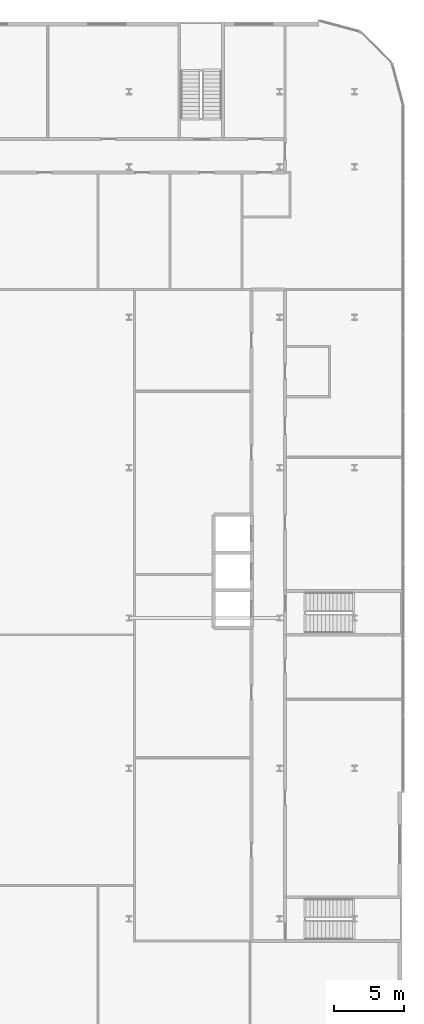
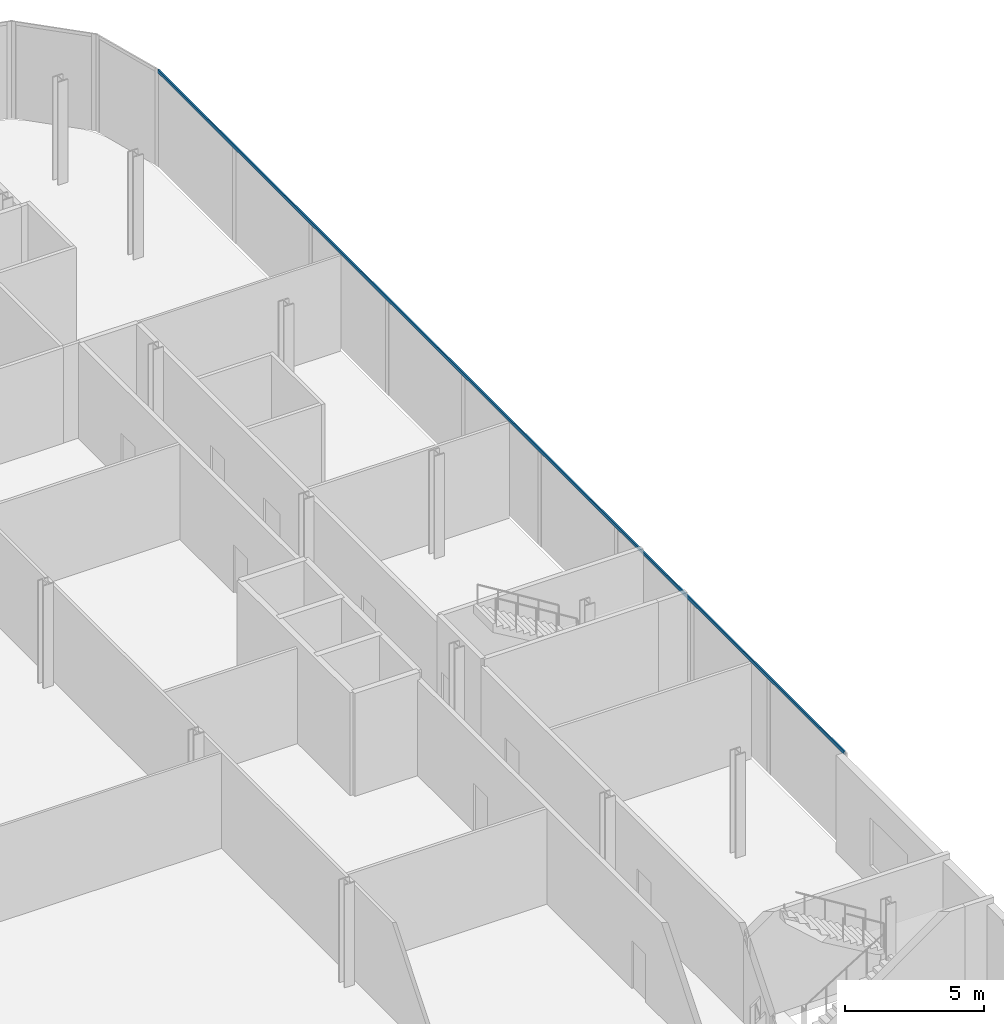
# One storey, part 20 of 47: 1 member, 1 element without a shape of its own.
"""IFC4 building model written with IfcOpenShell, lengths in metres."""

from ifc_helpers import new_model, si_unit, direction, frame, origin, origin_2d, place, context, subcontext, project, spatial, rectangle, extrude, material, layer, layer_set, material_profile, profile_set, type_object, element, aggregate, save


model = new_model("IFC4")

# Units and contexts
model_context = context("Model", 3, precision=1e-05, world=origin(), true_north=direction((0.0, 1.0)))
body_context = subcontext(model_context, "Body", "Model", "MODEL_VIEW")
ifc_project = project(units=[si_unit("LENGTHUNIT", "METRE"), si_unit("AREAUNIT", "SQUARE_METRE"), si_unit("VOLUMEUNIT", "CUBIC_METRE"), si_unit("PLANEANGLEUNIT", "RADIAN"), si_unit("MASSUNIT", "GRAM", prefix="KILO")], contexts=[model_context])

# Site, building, storey
site_placement = place(None, origin())
site = spatial("IfcSite", under=ifc_project, at=site_placement, CompositionType="ELEMENT")
building_placement = place(site_placement, origin())
building = spatial("IfcBuilding", under=site, at=building_placement, Name="Kheshtan School and Residences Tower", CompositionType="ELEMENT")
storey_placement = place(building_placement, frame((0.0, 0.0, 21.5)))
storey = spatial("IfcBuildingStorey", under=building, at=storey_placement, Name="L04", CompositionType="ELEMENT", Elevation=21.5)

# Curtain wall, member
ifc_material_1 = material(Name="Clear low-e glass in thermally broken aluminium frame", Category="aluminium")
ifc_layer = layer(ifc_material_1, 0.22509765625)
ifc_layer_set = layer_set([ifc_layer], Name="Curtain wall CW-P")
curtain_wall_type = type_object("IfcCurtainWallType", Name="Curtain wall CW-P", PredefinedType="NOTDEFINED", material=ifc_layer_set)
curtain_wall_placement = place(storey_placement, origin())
curtain_wall = element("IfcCurtainWall", 1, at=curtain_wall_placement, inside=storey, type_object=curtain_wall_type, Name="Curtain wall CWP8a", PredefinedType="NOTDEFINED")
ifc_material_2 = material(Name="Thermally broken aluminium, dark bronze anodised", Category="aluminium")
ifc_material_profile = material_profile(ifc_material_2, rectangle(XDim=0.06005859375, YDim=0.139892578125, at=origin_2d()), Name="CW-P transom 60x140")
ifc_profile_set = profile_set([ifc_material_profile], Name="Thermally broken aluminium, dark bronze anodised")
member_type = type_object("IfcMemberType", Name="CW-P transom 60x140", PredefinedType="USERDEFINED", material=ifc_profile_set)
member_placement = place(storey_placement, frame((132.10009765625, 104.02490234375, 4.179931640625), z_axis=(0.0, -1.0, 0.0), x_axis=(1.0, 0.0, 0.0)))
member = element("IfcMember", 2, at=member_placement, type_object=member_type, Name="CWP8a transom 1", ObjectType="TRANSOM", PredefinedType="USERDEFINED", context=body_context, shape_type="SweptSolid", body=[
    extrude(rectangle(XDim=0.06005859375, YDim=0.139892578125, at=origin_2d()), origin(), (0.0, 0.0, 1.0), 49.244873046875),
])
aggregate(curtain_wall, [member])

save(model, "model.ifc")
